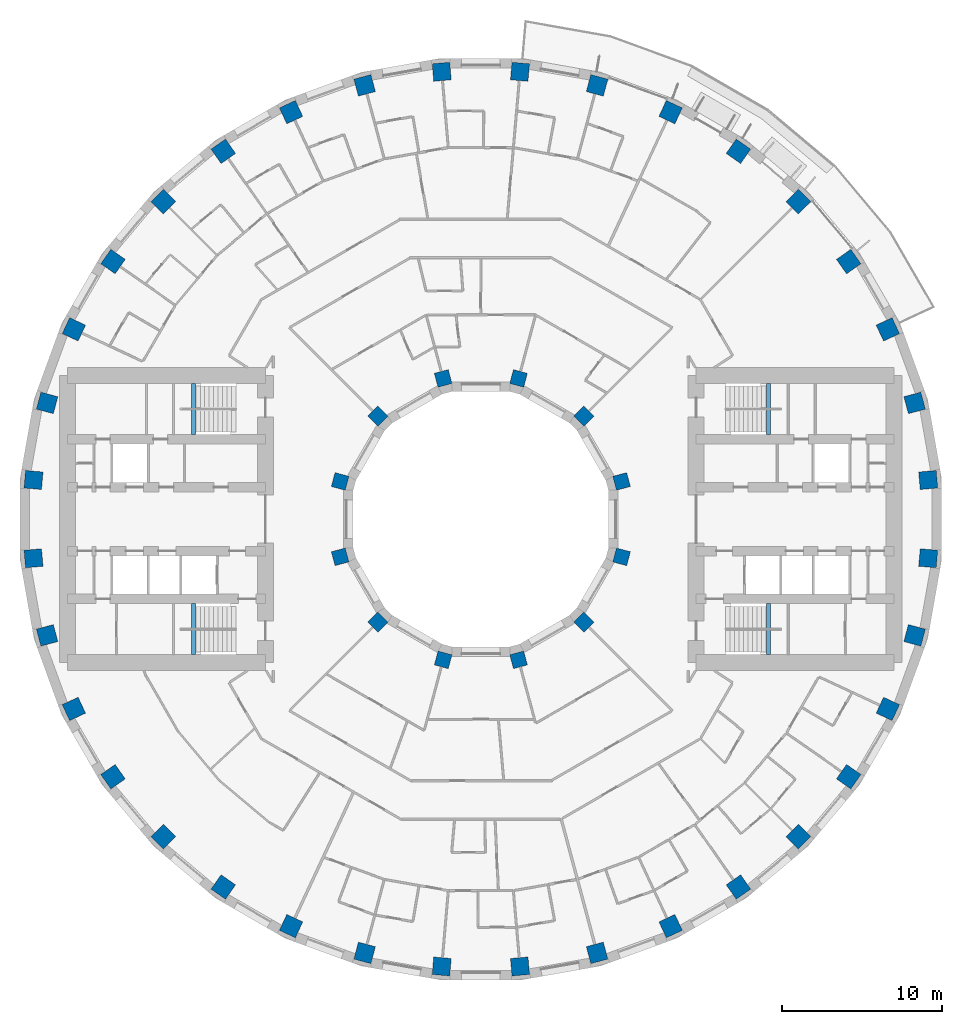
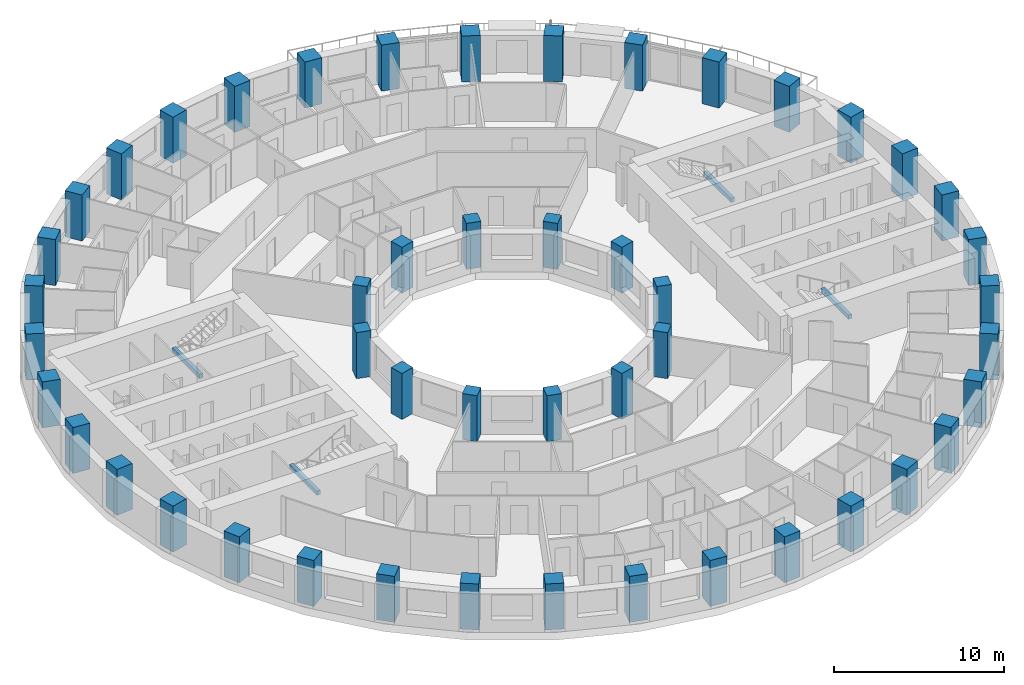
# One storey, part 1 of 15: 48 columns, 4 beams.
"""IFC4 building model written with IfcOpenShell, lengths in metres."""

from ifc_helpers import new_model, si_unit, direction, frame, origin, origin_2d, place, context, subcontext, project, spatial, rectangle, extrude, material, material_profile, profile_set, type_object, element, save


model = new_model("IFC4")

# Units and contexts
model_context = context("Model", 3, precision=1e-05, world=origin(), true_north=direction((0.0, 1.0)))
body_context = subcontext(model_context, "Body", "Model", "MODEL_VIEW")
ifc_project = project(units=[si_unit("LENGTHUNIT", "METRE"), si_unit("AREAUNIT", "SQUARE_METRE"), si_unit("VOLUMEUNIT", "CUBIC_METRE"), si_unit("PLANEANGLEUNIT", "RADIAN"), si_unit("MASSUNIT", "GRAM", prefix="KILO")], contexts=[model_context])

# Site, building, storey
site_placement = place(None, origin())
site = spatial("IfcSite", under=ifc_project, at=site_placement, CompositionType="ELEMENT")
building_placement = place(site_placement, origin())
building = spatial("IfcBuilding", under=site, at=building_placement, Name="Saqina Gate Tower", CompositionType="ELEMENT")
storey_placement = place(building_placement, frame((0.0, 0.0, 65.89990234375)))
storey = spatial("IfcBuildingStorey", under=building, at=storey_placement, Name="L18", CompositionType="ELEMENT", Elevation=65.89990234375)

# Columns
ifc_material_1 = material(Name="Concrete C70/85", Category="concrete")
ifc_material_profile_1 = material_profile(ifc_material_1, rectangle(XDim=0.89990234375, YDim=0.89990234375, at=origin_2d()), Name="RC 900x900")
ifc_profile_set_1 = profile_set([ifc_material_profile_1], Name="Concrete C70/85")
column_type_1 = type_object("IfcColumnType", Name="STR-COL-IN-A", PredefinedType="COLUMN", material=ifc_profile_set_1)
for number, where, z_axis, x_axis, name in (
    (1, (8.821044921875, 2.363525390625, 0.0), (0.0, 0.0, 1.0), (0.965925826289, 0.258819045103, 0.0), "L18-ICL01"),
    (2, (6.45751953125, 6.45751953125, 0.0), (0.0, 0.0, 1.0), (0.707106781187, 0.707106781187, 0.0), "L18-ICL02"),
    (3, (2.363525390625, 8.821044921875, 0.0), (0.0, 0.0, 1.0), (0.258819045103, 0.965925826289, 0.0), "L18-ICL03"),
    (4, (-2.363525390625, 8.821044921875, 0.0), (0.0, 0.0, 1.0), (-0.258819045103, 0.965925826289, 0.0), "L18-ICL04"),
    (5, (-6.45751953125, 6.45751953125, 0.0), (0.0, 0.0, 1.0), (-0.707106781187, 0.707106781187, 0.0), "L18-ICL05"),
    (6, (-8.821044921875, 2.363525390625, 0.0), (0.0, 0.0, 1.0), (-0.965925826289, 0.258819045103, 0.0), "L18-ICL06"),
    (7, (-8.821044921875, -2.363525390625, 0.0), (0.0, 0.0, 1.0), (-0.965925826289, -0.258819045103, 0.0), "L18-ICL07"),
    (8, (-6.45751953125, -6.45751953125, 0.0), (0.0, 0.0, 1.0), (-0.707106781187, -0.707106781187, 0.0), "L18-ICL08"),
    (9, (-2.363525390625, -8.821044921875, 0.0), (0.0, 0.0, 1.0), (-0.258819045103, -0.965925826289, 0.0), "L18-ICL09"),
    (10, (2.363525390625, -8.821044921875, 0.0), (0.0, 0.0, 1.0), (0.258819045103, -0.965925826289, 0.0), "L18-ICL10"),
    (11, (6.45751953125, -6.45751953125, 0.0), (0.0, 0.0, 1.0), (0.707106781187, -0.707106781187, 0.0), "L18-ICL11"),
    (12, (8.821044921875, -2.363525390625, 0.0), (0.0, 0.0, 1.0), (0.965925826289, -0.258819045103, 0.0), "L18-ICL12"),
):
    element("IfcColumn", number, at=place(storey_placement, frame(where, z_axis=z_axis, x_axis=x_axis)), inside=storey, type_object=column_type_1, Name=name, PredefinedType="COLUMN", context=body_context, shape_type="SweptSolid", body=[
        extrude(rectangle(XDim=0.89990234375, YDim=0.89990234375, at=origin_2d()), origin(), (0.0, 0.0, 1.0), 3.300048828125),
    ])
ifc_material_2 = material(Name="Concrete C70/85", Category="concrete")
ifc_material_profile_2 = material_profile(ifc_material_2, rectangle(XDim=1.10009765625, YDim=1.10009765625, at=origin_2d()), Name="RC 1100x1100")
ifc_profile_set_2 = profile_set([ifc_material_profile_2], Name="Concrete C70/85")
column_type_2 = type_object("IfcColumnType", Name="STR-COL-OUT-A", PredefinedType="COLUMN", material=ifc_profile_set_2)
for number, where, z_axis, x_axis, name in (
    (13, (28.04296875, 2.453369140625, 0.0), (0.0, 0.0, 1.0), (0.996194698092, 0.087155742748, 0.0), "L18-COL01"),
    (14, (27.19091796875, 7.28564453125, 0.0), (0.0, 0.0, 1.0), (0.965925826289, 0.258819045103, 0.0), "L18-COL02"),
    (15, (25.512451171875, 11.896728515625, 0.0), (0.0, 0.0, 1.0), (0.906307787037, 0.422618261741, 0.0), "L18-COL03"),
    (16, (23.05908203125, 16.146240234375, 0.0), (0.0, 0.0, 1.0), (0.819152044289, 0.573576436351, 0.0), "L18-COL04"),
    (17, (19.905029296875, 19.905029296875, 0.0), (0.0, 0.0, 1.0), (0.707106781187, 0.707106781187, 0.0), "L18-COL05"),
    (18, (16.146240234375, 23.05908203125, 0.0), (0.0, 0.0, 1.0), (0.573576436351, 0.819152044289, 0.0), "L18-COL06"),
    (19, (11.896728515625, 25.512451171875, 0.0), (0.0, 0.0, 1.0), (0.422618261741, 0.906307787037, 0.0), "L18-COL07"),
    (20, (7.28564453125, 27.19091796875, 0.0), (0.0, 0.0, 1.0), (0.258819045103, 0.965925826289, 0.0), "L18-COL08"),
    (21, (2.453369140625, 28.04296875, 0.0), (0.0, 0.0, 1.0), (0.087155742748, 0.996194698092, 0.0), "L18-COL09"),
    (22, (-2.453369140625, 28.04296875, 0.0), (0.0, 0.0, 1.0), (-0.087155742748, 0.996194698092, 0.0), "L18-COL10"),
    (23, (-7.28564453125, 27.19091796875, 0.0), (0.0, 0.0, 1.0), (-0.258819045103, 0.965925826289, 0.0), "L18-COL11"),
    (24, (-11.896728515625, 25.512451171875, 0.0), (0.0, 0.0, 1.0), (-0.422618261741, 0.906307787037, 0.0), "L18-COL12"),
    (25, (-16.146240234375, 23.05908203125, 0.0), (0.0, 0.0, 1.0), (-0.573576436351, 0.819152044289, 0.0), "L18-COL13"),
    (26, (-19.905029296875, 19.905029296875, 0.0), (0.0, 0.0, 1.0), (-0.707106781187, 0.707106781187, 0.0), "L18-COL14"),
    (27, (-23.05908203125, 16.146240234375, 0.0), (0.0, 0.0, 1.0), (-0.819152044289, 0.573576436351, 0.0), "L18-COL15"),
    (28, (-25.512451171875, 11.896728515625, 0.0), (0.0, 0.0, 1.0), (-0.906307787037, 0.422618261741, 0.0), "L18-COL16"),
    (29, (-27.19091796875, 7.28564453125, 0.0), (0.0, 0.0, 1.0), (-0.965925826289, 0.258819045103, 0.0), "L18-COL17"),
    (30, (-28.04296875, 2.453369140625, 0.0), (0.0, 0.0, 1.0), (-0.996194698092, 0.087155742748, 0.0), "L18-COL18"),
    (31, (-28.04296875, -2.453369140625, 0.0), (0.0, 0.0, 1.0), (-0.996194698092, -0.087155742748, 0.0), "L18-COL19"),
    (32, (-27.19091796875, -7.28564453125, 0.0), (0.0, 0.0, 1.0), (-0.965925826289, -0.258819045103, 0.0), "L18-COL20"),
    (33, (-25.512451171875, -11.896728515625, 0.0), (0.0, 0.0, 1.0), (-0.906307787037, -0.422618261741, 0.0), "L18-COL21"),
    (34, (-23.05908203125, -16.146240234375, 0.0), (0.0, 0.0, 1.0), (-0.819152044289, -0.573576436351, 0.0), "L18-COL22"),
    (35, (-19.905029296875, -19.905029296875, 0.0), (0.0, 0.0, 1.0), (-0.707106781187, -0.707106781187, 0.0), "L18-COL23"),
    (36, (-16.146240234375, -23.05908203125, 0.0), (0.0, 0.0, 1.0), (-0.573576436351, -0.819152044289, 0.0), "L18-COL24"),
    (37, (-11.896728515625, -25.512451171875, 0.0), (0.0, 0.0, 1.0), (-0.422618261741, -0.906307787037, 0.0), "L18-COL25"),
    (38, (-7.28564453125, -27.19091796875, 0.0), (0.0, 0.0, 1.0), (-0.258819045103, -0.965925826289, 0.0), "L18-COL26"),
    (39, (-2.453369140625, -28.04296875, 0.0), (0.0, 0.0, 1.0), (-0.087155742748, -0.996194698092, 0.0), "L18-COL27"),
    (40, (2.453369140625, -28.04296875, 0.0), (0.0, 0.0, 1.0), (0.087155742748, -0.996194698092, 0.0), "L18-COL28"),
    (41, (7.28564453125, -27.19091796875, 0.0), (0.0, 0.0, 1.0), (0.258819045103, -0.965925826289, 0.0), "L18-COL29"),
    (42, (11.896728515625, -25.512451171875, 0.0), (0.0, 0.0, 1.0), (0.422618261741, -0.906307787037, 0.0), "L18-COL30"),
    (43, (16.146240234375, -23.05908203125, 0.0), (0.0, 0.0, 1.0), (0.573576436351, -0.819152044289, 0.0), "L18-COL31"),
    (44, (19.905029296875, -19.905029296875, 0.0), (0.0, 0.0, 1.0), (0.707106781187, -0.707106781187, 0.0), "L18-COL32"),
    (45, (23.05908203125, -16.146240234375, 0.0), (0.0, 0.0, 1.0), (0.819152044289, -0.573576436351, 0.0), "L18-COL33"),
    (46, (25.512451171875, -11.896728515625, 0.0), (0.0, 0.0, 1.0), (0.906307787037, -0.422618261741, 0.0), "L18-COL34"),
    (47, (27.19091796875, -7.28564453125, 0.0), (0.0, 0.0, 1.0), (0.965925826289, -0.258819045103, 0.0), "L18-COL35"),
    (48, (28.04296875, -2.453369140625, 0.0), (0.0, 0.0, 1.0), (0.996194698092, -0.087155742748, 0.0), "L18-COL36"),
):
    element("IfcColumn", number, at=place(storey_placement, frame(where, z_axis=z_axis, x_axis=x_axis)), inside=storey, type_object=column_type_2, Name=name, PredefinedType="COLUMN", context=body_context, shape_type="SweptSolid", body=[
        extrude(rectangle(XDim=1.10009765625, YDim=1.10009765625, at=origin_2d()), origin(), (0.0, 0.0, 1.0), 3.300048828125),
    ])

# Beams
ifc_material_3 = material(Name="Concrete C40/50", Category="concrete")
ifc_material_profile_3 = material_profile(ifc_material_3, rectangle(XDim=0.25, YDim=0.300048828125, at=origin_2d()), Name="STAIR LANDING BEAM")
ifc_profile_set_3 = profile_set([ifc_material_profile_3], Name="Concrete C40/50")
beam_type = type_object("IfcBeamType", Name="STAIR LANDING BEAM", PredefinedType="BEAM", material=ifc_profile_set_3)
for number, where, z_axis, x_axis, name in (
    (49, (18.02001953125, 5.300048828125, 1.25), (0.0, 1.0, 0.0), (-1.0, 0.0, 0.0), "EXIT STAIR 1 LANDING BEAM"),
    (50, (18.02001953125, -8.5, 1.25), (0.0, 1.0, 0.0), (-1.0, 0.0, 0.0), "EXIT STAIR 2 LANDING BEAM"),
    (51, (-18.02001953125, 5.300048828125, 1.25), (0.0, 1.0, 0.0), (-1.0, 0.0, 0.0), "EXIT STAIR 3 LANDING BEAM"),
    (52, (-18.02001953125, -8.5, 1.25), (0.0, 1.0, 0.0), (-1.0, 0.0, 0.0), "EXIT STAIR 4 LANDING BEAM"),
):
    element("IfcBeam", number, at=place(storey_placement, frame(where, z_axis=z_axis, x_axis=x_axis)), inside=storey, type_object=beam_type, Name=name, PredefinedType="BEAM", context=body_context, shape_type="SweptSolid", body=[
        extrude(rectangle(XDim=0.25, YDim=0.300048828125, at=origin_2d()), origin(), (0.0, 0.0, 1.0), 3.199951171875),
    ])

save(model, "model.ifc")
